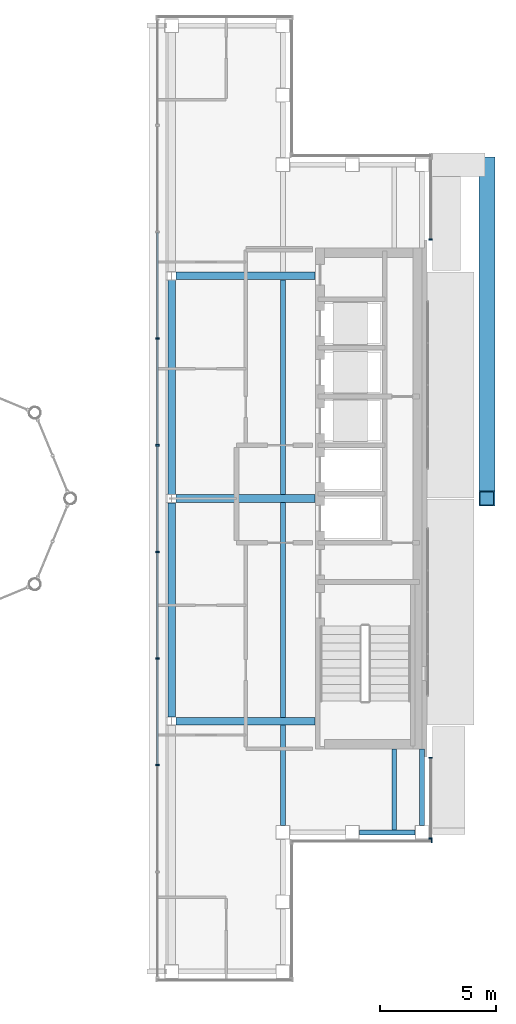
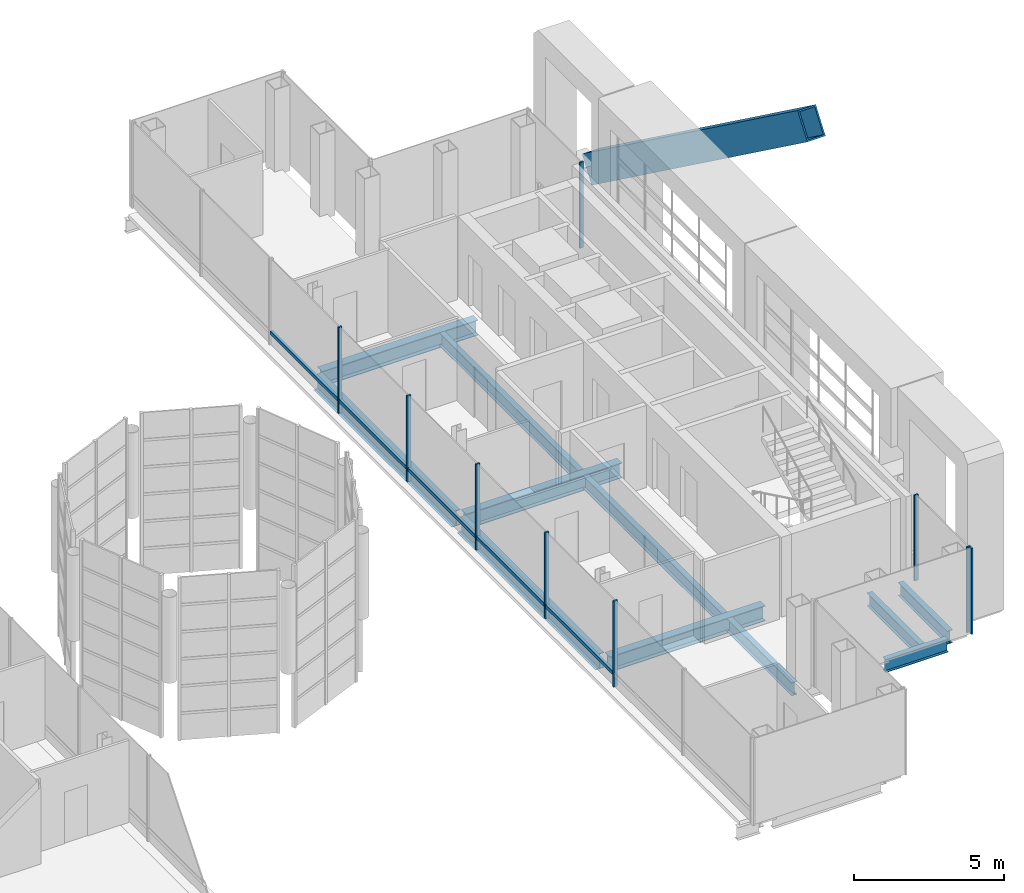
# One storey, part 7 of 21: 15 members, 11 beams, 4 elements without a shape of their own.
"""IFC4 building model written with IfcOpenShell, lengths in metres."""

from ifc_helpers import new_model, si_unit, direction, frame, origin, origin_2d, place, context, subcontext, project, spatial, rectangle, hollow_rectangle, i_section, extrude, material, material_profile, profile_set, type_object, element, aggregate, save


model = new_model("IFC4")

# Units and contexts
model_context = context("Model", 3, precision=1e-05, world=origin(), true_north=direction((0.0, 1.0)))
body_context = subcontext(model_context, "Body", "Model", "MODEL_VIEW")
ifc_project = project(units=[si_unit("LENGTHUNIT", "METRE"), si_unit("AREAUNIT", "SQUARE_METRE"), si_unit("VOLUMEUNIT", "CUBIC_METRE"), si_unit("PLANEANGLEUNIT", "RADIAN"), si_unit("MASSUNIT", "GRAM", prefix="KILO")], contexts=[model_context])

# Site, building, storey
site_placement = place(None, origin())
site = spatial("IfcSite", under=ifc_project, at=site_placement, CompositionType="ELEMENT")
building_placement = place(site_placement, origin())
building = spatial("IfcBuilding", under=site, at=building_placement, Name="Cobrizo Arcos Hotel Tower", CompositionType="ELEMENT")
storey_placement = place(building_placement, frame((0.0, 0.0, 276.0)))
storey = spatial("IfcBuildingStorey", under=building, at=storey_placement, Name="L73", CompositionType="ELEMENT", Elevation=276.0)

# Member
ifc_material_1 = material(Name="Steel ASTM A572 Grade 50", Category="steel")
ifc_material_profile_1 = material_profile(ifc_material_1, hollow_rectangle(XDim=0.699951171875, YDim=1.10009765625, WallThickness=0.06005859375, at=origin_2d()), Name="BOX 700X1100X60")
ifc_profile_set_1 = profile_set([ifc_material_profile_1], Name="Steel ASTM A572 Grade 50")
member_type_1 = type_object("IfcMemberType", Name="BOX 700X1100X60 perimeter brace", PredefinedType="BRACE", material=ifc_profile_set_1)
member_1_placement = place(storey_placement, frame((23.199951171875, 14.39990234375, 0.5), z_axis=(0.0, -0.808005628086, 0.589174766076), x_axis=(1.0, 0.0, 0.0)))
element("IfcMember", 1, at=member_1_placement, inside=storey, type_object=member_type_1, Name="Perimeter brace PBR5, zone Z5, east face, no. 04", PredefinedType="BRACE", context=body_context, shape_type="SweptSolid", body=[
    extrude(hollow_rectangle(XDim=0.699951171875, YDim=1.10009765625, WallThickness=0.06005859375, at=origin_2d()), origin(), (0.0, 0.0, 1.0), 17.821533203125),
])

# Curtain wall, member
ifc_material_2 = material(Name="Aluminium 6063-T6 anodised bronze", Category="aluminium")
curtain_wall_type_1 = type_object("IfcCurtainWallType", Name="CW-A guest facade", PredefinedType="NOTDEFINED", material=ifc_material_2)
curtain_wall_1_placement = place(storey_placement, origin())
curtain_wall_1 = element("IfcCurtainWall", 2, at=curtain_wall_1_placement, inside=storey, type_object=curtain_wall_type_1, Name="CW-A L73 S face", PredefinedType="NOTDEFINED")
ifc_material_profile_2 = material_profile(ifc_material_2, rectangle(XDim=0.14990234375, YDim=0.06005859375, at=origin_2d()), Name="CW-A mullion 150x60")
ifc_profile_set_2 = profile_set([ifc_material_profile_2], Name="Aluminium 6063-T6 anodised bronze")
member_type_2 = type_object("IfcMemberType", Name="CW-A mullion 150x60", PredefinedType="MULLION", material=ifc_profile_set_2)
member_2_placement = place(storey_placement, frame((20.820068359375, -14.77490234375, 0.0), z_axis=(0.0, 0.0, 1.0), x_axis=(0.0, -1.0, 0.0)))
member_2 = element("IfcMember", 3, at=member_2_placement, type_object=member_type_2, Name="CW-A mullion 2", PredefinedType="MULLION", context=body_context, shape_type="SweptSolid", body=[
    extrude(rectangle(XDim=0.14990234375, YDim=0.06005859375, at=origin_2d()), origin(), (0.0, 0.0, 1.0), 3.5),
])
aggregate(curtain_wall_1, [member_2])

# Curtain wall, members
curtain_wall_2_placement = place(storey_placement, origin())
curtain_wall_2 = element("IfcCurtainWall", 4, at=curtain_wall_2_placement, inside=storey, type_object=curtain_wall_type_1, Name="CW-A L73 E face", PredefinedType="NOTDEFINED")
member_3_placement = place(storey_placement, frame((20.77490234375, -14.669921875, 0.0), z_axis=(0.0, 0.0, 1.0), x_axis=(1.0, 0.0, 0.0)))
member_3 = element("IfcMember", 5, at=member_3_placement, type_object=member_type_2, Name="CW-A mullion 1", PredefinedType="MULLION", context=body_context, shape_type="SweptSolid", body=[
    extrude(rectangle(XDim=0.14990234375, YDim=0.06005859375, at=origin_2d()), origin(), (0.0, 0.0, 1.0), 3.5),
])
member_4_placement = place(storey_placement, frame((20.77490234375, -11.179931640625, 0.0), z_axis=(0.0, 0.0, 1.0), x_axis=(1.0, 0.0, 0.0)))
member_4 = element("IfcMember", 6, at=member_4_placement, type_object=member_type_2, Name="CW-A mullion 2", PredefinedType="MULLION", context=body_context, shape_type="SweptSolid", body=[
    extrude(rectangle(XDim=0.14990234375, YDim=0.06005859375, at=origin_2d()), origin(), (0.0, 0.0, 1.0), 3.5),
])
aggregate(curtain_wall_2, [member_3, member_4])

# Curtain wall, member
curtain_wall_3_placement = place(storey_placement, origin())
curtain_wall_3 = element("IfcCurtainWall", 7, at=curtain_wall_3_placement, inside=storey, type_object=curtain_wall_type_1, Name="CW-A L73 E face", PredefinedType="NOTDEFINED")
member_5_placement = place(storey_placement, frame((20.77490234375, 11.179931640625, 0.0), z_axis=(0.0, 0.0, 1.0), x_axis=(1.0, 0.0, 0.0)))
member_5 = element("IfcMember", 8, at=member_5_placement, type_object=member_type_2, Name="CW-A mullion 1", PredefinedType="MULLION", context=body_context, shape_type="SweptSolid", body=[
    extrude(rectangle(XDim=0.14990234375, YDim=0.06005859375, at=origin_2d()), origin(), (0.0, 0.0, 1.0), 3.5),
])
aggregate(curtain_wall_3, [member_5])

# Curtain wall, members
curtain_wall_type_2 = type_object("IfcCurtainWallType", Name="CW-C arch infill and crown glazing", PredefinedType="NOTDEFINED", material=ifc_material_2)
curtain_wall_4_placement = place(storey_placement, origin())
curtain_wall_4 = element("IfcCurtainWall", 9, at=curtain_wall_4_placement, inside=storey, type_object=curtain_wall_type_2, Name="CW-C L73 W face", PredefinedType="NOTDEFINED")
ifc_material_profile_3 = material_profile(ifc_material_2, rectangle(XDim=0.14990234375, YDim=0.070068359375, at=origin_2d()), Name="CW-C mullion 150x70")
ifc_profile_set_3 = profile_set([ifc_material_profile_3], Name="Aluminium 6063-T6 anodised bronze")
member_type_3 = type_object("IfcMemberType", Name="CW-C mullion 150x70", PredefinedType="MULLION", material=ifc_profile_set_3)
member_6_placement = place(storey_placement, frame((8.989990234375, 6.89990234375, 0.0), z_axis=(0.0, 0.0, 1.0), x_axis=(-1.0, 0.0, 0.0)))
member_6 = element("IfcMember", 10, at=member_6_placement, type_object=member_type_3, Name="CW-C mullion 4", PredefinedType="MULLION", context=body_context, shape_type="SweptSolid", body=[
    extrude(rectangle(XDim=0.14990234375, YDim=0.070068359375, at=origin_2d()), origin(), (0.0, 0.0, 1.0), 3.5),
])
member_7_placement = place(storey_placement, frame((8.989990234375, 2.300048828125, 0.0), z_axis=(0.0, 0.0, 1.0), x_axis=(-1.0, 0.0, 0.0)))
member_7 = element("IfcMember", 11, at=member_7_placement, type_object=member_type_3, Name="CW-C mullion 5", PredefinedType="MULLION", context=body_context, shape_type="SweptSolid", body=[
    extrude(rectangle(XDim=0.14990234375, YDim=0.070068359375, at=origin_2d()), origin(), (0.0, 0.0, 1.0), 3.5),
])
member_8_placement = place(storey_placement, frame((8.989990234375, -2.300048828125, 0.0), z_axis=(0.0, 0.0, 1.0), x_axis=(-1.0, 0.0, 0.0)))
member_8 = element("IfcMember", 12, at=member_8_placement, type_object=member_type_3, Name="CW-C mullion 6", PredefinedType="MULLION", context=body_context, shape_type="SweptSolid", body=[
    extrude(rectangle(XDim=0.14990234375, YDim=0.070068359375, at=origin_2d()), origin(), (0.0, 0.0, 1.0), 3.5),
])
member_9_placement = place(storey_placement, frame((8.989990234375, -6.89990234375, 0.0), z_axis=(0.0, 0.0, 1.0), x_axis=(-1.0, 0.0, 0.0)))
member_9 = element("IfcMember", 13, at=member_9_placement, type_object=member_type_3, Name="CW-C mullion 7", PredefinedType="MULLION", context=body_context, shape_type="SweptSolid", body=[
    extrude(rectangle(XDim=0.14990234375, YDim=0.070068359375, at=origin_2d()), origin(), (0.0, 0.0, 1.0), 3.5),
])
member_10_placement = place(storey_placement, frame((8.989990234375, -11.5, 0.0), z_axis=(0.0, 0.0, 1.0), x_axis=(-1.0, 0.0, 0.0)))
member_10 = element("IfcMember", 14, at=member_10_placement, type_object=member_type_3, Name="CW-C mullion 8", PredefinedType="MULLION", context=body_context, shape_type="SweptSolid", body=[
    extrude(rectangle(XDim=0.14990234375, YDim=0.070068359375, at=origin_2d()), origin(), (0.0, 0.0, 1.0), 3.5),
])
ifc_material_profile_4 = material_profile(ifc_material_2, rectangle(XDim=0.10009765625, YDim=0.139892578125, at=origin_2d()), Name="CW-C transom 140x100")
ifc_profile_set_4 = profile_set([ifc_material_profile_4], Name="Aluminium 6063-T6 anodised bronze")
member_type_4 = type_object("IfcMemberType", Name="CW-C transom 140x100", PredefinedType="USERDEFINED", material=ifc_profile_set_4)
member_11_placement = place(storey_placement, frame((8.989990234375, 11.465087890625, 0.5), z_axis=(0.0, -1.0, 0.0), x_axis=(1.0, 0.0, 0.0)))
member_11 = element("IfcMember", 15, at=member_11_placement, type_object=member_type_4, Name="CW-C transom 2293", ObjectType="TRANSOM", PredefinedType="USERDEFINED", context=body_context, shape_type="SweptSolid", body=[
    extrude(rectangle(XDim=0.10009765625, YDim=0.139892578125, at=origin_2d()), origin(), (0.0, 0.0, 1.0), 4.530029296875),
])
member_12_placement = place(storey_placement, frame((8.989990234375, 6.864990234375, 0.5), z_axis=(0.0, -1.0, 0.0), x_axis=(1.0, 0.0, 0.0)))
member_12 = element("IfcMember", 16, at=member_12_placement, type_object=member_type_4, Name="CW-C transom 2294", ObjectType="TRANSOM", PredefinedType="USERDEFINED", context=body_context, shape_type="SweptSolid", body=[
    extrude(rectangle(XDim=0.10009765625, YDim=0.139892578125, at=origin_2d()), origin(), (0.0, 0.0, 1.0), 4.530029296875),
])
member_13_placement = place(storey_placement, frame((8.989990234375, 2.264892578125, 0.5), z_axis=(0.0, -1.0, 0.0), x_axis=(1.0, 0.0, 0.0)))
member_13 = element("IfcMember", 17, at=member_13_placement, type_object=member_type_4, Name="CW-C transom 2295", ObjectType="TRANSOM", PredefinedType="USERDEFINED", context=body_context, shape_type="SweptSolid", body=[
    extrude(rectangle(XDim=0.10009765625, YDim=0.139892578125, at=origin_2d()), origin(), (0.0, 0.0, 1.0), 4.52978515625),
])
member_14_placement = place(storey_placement, frame((8.989990234375, -2.3349609375, 0.5), z_axis=(0.0, -1.0, 0.0), x_axis=(1.0, 0.0, 0.0)))
member_14 = element("IfcMember", 18, at=member_14_placement, type_object=member_type_4, Name="CW-C transom 2296", ObjectType="TRANSOM", PredefinedType="USERDEFINED", context=body_context, shape_type="SweptSolid", body=[
    extrude(rectangle(XDim=0.10009765625, YDim=0.139892578125, at=origin_2d()), origin(), (0.0, 0.0, 1.0), 4.530029296875),
])
member_15_placement = place(storey_placement, frame((8.989990234375, -6.93505859375, 0.5), z_axis=(0.0, -1.0, 0.0), x_axis=(1.0, 0.0, 0.0)))
member_15 = element("IfcMember", 19, at=member_15_placement, type_object=member_type_4, Name="CW-C transom 2297", ObjectType="TRANSOM", PredefinedType="USERDEFINED", context=body_context, shape_type="SweptSolid", body=[
    extrude(rectangle(XDim=0.10009765625, YDim=0.139892578125, at=origin_2d()), origin(), (0.0, 0.0, 1.0), 4.530029296875),
])
aggregate(curtain_wall_4, [member_6, member_7, member_8, member_9, member_10, member_11, member_12, member_13, member_14, member_15])

# Beams
ifc_material_3 = material(Name="Steel ASTM A992 Grade 50", Category="steel")
ifc_material_profile_5 = material_profile(ifc_material_3, i_section(OverallWidth=0.209228515625, OverallDepth=0.533447265625, WebThickness=0.01025390625, FlangeThickness=0.015625, at=origin_2d()), Name="W21X62")
ifc_profile_set_5 = profile_set([ifc_material_profile_5], Name="Steel ASTM A992 Grade 50")
beam_type_1 = type_object("IfcBeamType", Name="W21X62 joist", PredefinedType="JOIST", material=ifc_profile_set_5)
beam_1_placement = place(storey_placement, frame((14.39990234375, -14.10009765625, -0.416748046875), z_axis=(0.0, 1.0, 0.0), x_axis=(-1.0, 0.0, 0.0)))
element("IfcBeam", 20, at=beam_1_placement, inside=storey, type_object=beam_type_1, Name="Floor joist J1, L73, no. 007", PredefinedType="JOIST", context=body_context, shape_type="SweptSolid", body=[
    extrude(i_section(OverallWidth=0.209228515625, OverallDepth=0.533447265625, WebThickness=0.01025390625, FlangeThickness=0.015625, at=origin_2d()), origin(), (0.0, 0.0, 1.0), 4.336181640625),
])
for number, where, z_axis, x_axis, name in (
    (21, (14.39990234375, -9.43603515625, -0.416748046875), (0.0, 1.0, 0.0), (-1.0, 0.0, 0.0), "Floor joist J1, L73, no. 008"),
    (22, (14.39990234375, 0.163818359375, -0.416748046875), (0.0, 1.0, 0.0), (-1.0, 0.0, 0.0), "Floor joist J1, L73, no. 009"),
):
    element("IfcBeam", number, at=place(storey_placement, frame(where, z_axis=z_axis, x_axis=x_axis)), inside=storey, type_object=beam_type_1, Name=name, PredefinedType="JOIST", context=body_context, shape_type="SweptSolid", body=[
        extrude(i_section(OverallWidth=0.209228515625, OverallDepth=0.533447265625, WebThickness=0.01025390625, FlangeThickness=0.015625, at=origin_2d()), origin(), (0.0, 0.0, 1.0), 9.272216796875),
    ])
beam_2_placement = place(storey_placement, frame((19.199951171875, -14.31005859375, -0.416748046875), z_axis=(0.0, 1.0, 0.0), x_axis=(-1.0, 0.0, 0.0)))
element("IfcBeam", 23, at=beam_2_placement, inside=storey, type_object=beam_type_1, Name="Floor joist J1, L73, no. 011", PredefinedType="JOIST", context=body_context, shape_type="SweptSolid", body=[
    extrude(i_section(OverallWidth=0.209228515625, OverallDepth=0.533447265625, WebThickness=0.01025390625, FlangeThickness=0.015625, at=origin_2d()), origin(), (0.0, 0.0, 1.0), 3.5),
])
ifc_material_profile_6 = material_profile(ifc_material_3, i_section(OverallWidth=0.209228515625, OverallDepth=0.533447265625, WebThickness=0.01025390625, FlangeThickness=0.015625, at=origin_2d()), Name="W21X62")
ifc_profile_set_6 = profile_set([ifc_material_profile_6], Name="Steel ASTM A992 Grade 50")
beam_type_2 = type_object("IfcBeamType", Name="W21X62 spandrel", PredefinedType="SPANDREL", material=ifc_profile_set_6)
beam_3_placement = place(storey_placement, frame((20.39990234375, -10.81005859375, -0.416748046875), z_axis=(0.0, -1.0, 0.0), x_axis=(1.0, 0.0, 0.0)))
element("IfcBeam", 24, at=beam_3_placement, inside=storey, type_object=beam_type_2, Name="Spandrel beam W21X62, L73, no. 022", PredefinedType="SPANDREL", context=body_context, shape_type="SweptSolid", body=[
    extrude(i_section(OverallWidth=0.209228515625, OverallDepth=0.533447265625, WebThickness=0.01025390625, FlangeThickness=0.015625, at=origin_2d()), origin(), (0.0, 0.0, 1.0), 3.2900390625),
])
beam_4_placement = place(storey_placement, frame((20.10009765625, -14.39990234375, -0.416748046875), z_axis=(-1.0, 0.0, 0.0), x_axis=(0.0, -1.0, 0.0)))
element("IfcBeam", 25, at=beam_4_placement, inside=storey, type_object=beam_type_2, Name="Spandrel beam W21X62, L73, no. 023", PredefinedType="SPANDREL", context=body_context, shape_type="SweptSolid", body=[
    extrude(i_section(OverallWidth=0.209228515625, OverallDepth=0.533447265625, WebThickness=0.01025390625, FlangeThickness=0.015625, at=origin_2d()), origin(), (0.0, 0.0, 1.0), 2.400146484375),
])
ifc_material_profile_7 = material_profile(ifc_material_3, i_section(OverallWidth=0.32763671875, OverallDepth=0.622314453125, WebThickness=0.015380859375, FlangeThickness=0.0244140625, at=origin_2d()), Name="W24X131")
ifc_profile_set_7 = profile_set([ifc_material_profile_7], Name="Steel ASTM A992 Grade 50")
beam_type_3 = type_object("IfcBeamType", Name="W24X131 girder", PredefinedType="BEAM", material=ifc_profile_set_7)
for number, where, z_axis, x_axis, name in (
    (26, (9.7841796875, -9.60009765625, -0.461181640625), (1.0, 0.0, 0.0), (0.0, 1.0, 0.0), "Floor girder G1, L73, no. 002"),
    (27, (9.7841796875, 0.0, -0.461181640625), (1.0, 0.0, 0.0), (0.0, 1.0, 0.0), "Floor girder G1, L73, no. 004"),
    (28, (9.7841796875, 9.60009765625, -0.461181640625), (1.0, 0.0, 0.0), (0.0, 1.0, 0.0), "Floor girder G1, L73, no. 006"),
):
    element("IfcBeam", number, at=place(storey_placement, frame(where, z_axis=z_axis, x_axis=x_axis)), inside=storey, type_object=beam_type_3, Name=name, PredefinedType="BEAM", context=body_context, shape_type="SweptSolid", body=[
        extrude(i_section(OverallWidth=0.32763671875, OverallDepth=0.622314453125, WebThickness=0.015380859375, FlangeThickness=0.0244140625, at=origin_2d()), origin(), (0.0, 0.0, 1.0), 6.005859375),
    ])
for number, where, z_axis, x_axis, name in (
    (29, (9.60009765625, -9.415771484375, -0.461181640625), (0.0, 1.0, 0.0), (-1.0, 0.0, 0.0), "Floor girder G1, L73, no. 012"),
    (30, (9.60009765625, 0.18408203125, -0.461181640625), (0.0, 1.0, 0.0), (-1.0, 0.0, 0.0), "Floor girder G1, L73, no. 013"),
):
    element("IfcBeam", number, at=place(storey_placement, frame(where, z_axis=z_axis, x_axis=x_axis)), inside=storey, type_object=beam_type_3, Name=name, PredefinedType="BEAM", context=body_context, shape_type="SweptSolid", body=[
        extrude(i_section(OverallWidth=0.32763671875, OverallDepth=0.622314453125, WebThickness=0.015380859375, FlangeThickness=0.0244140625, at=origin_2d()), origin(), (0.0, 0.0, 1.0), 9.231689453125),
    ])

save(model, "model.ifc")
